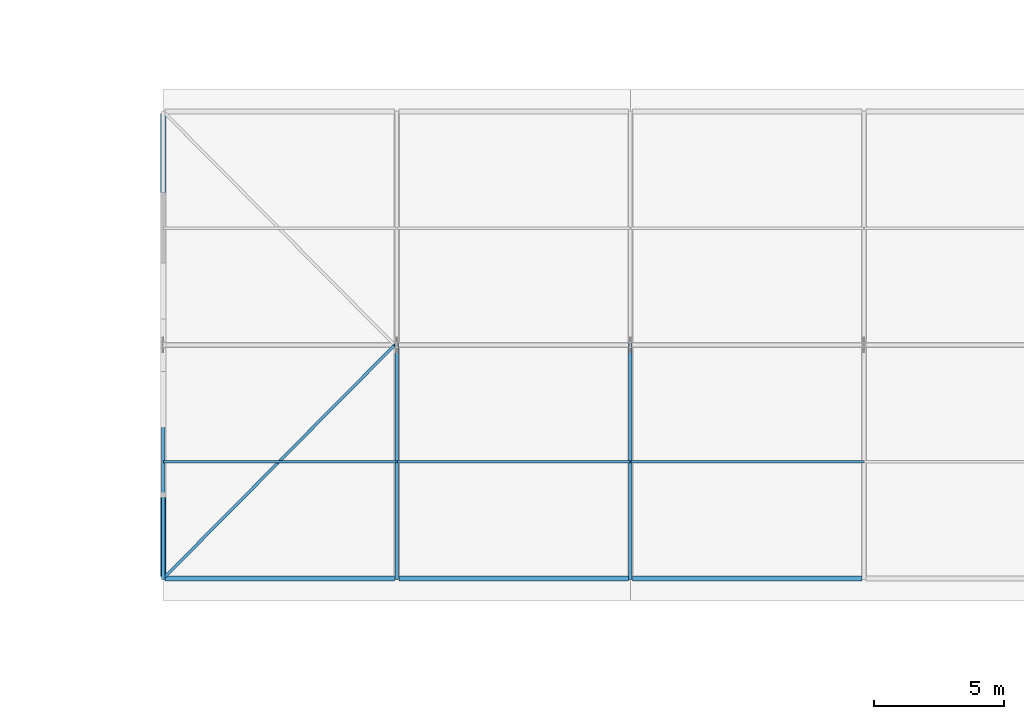
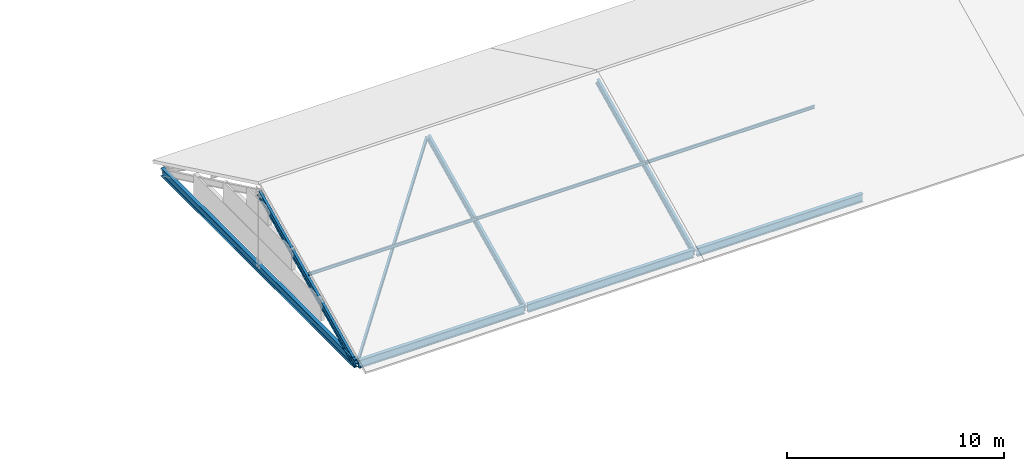
# One storey, part 10 of 25: 7 members, 4 beams.
"""IFC4 building model written with IfcOpenShell, lengths in metres."""

from ifc_helpers import new_model, si_unit, direction, frame, origin, origin_2d, place, context, subcontext, project, spatial, i_section, extrude, material, material_profile, profile_set, type_object, element, save


model = new_model("IFC4")

# Units and contexts
model_context = context("Model", 3, precision=1e-05, world=origin(), true_north=direction((0.0, 1.0)))
body_context = subcontext(model_context, "Body", "Model", "MODEL_VIEW")
ifc_project = project(units=[si_unit("LENGTHUNIT", "METRE"), si_unit("AREAUNIT", "SQUARE_METRE"), si_unit("VOLUMEUNIT", "CUBIC_METRE"), si_unit("PLANEANGLEUNIT", "RADIAN"), si_unit("MASSUNIT", "GRAM", prefix="KILO")], contexts=[model_context])

# Site, building, storey
site_placement = place(None, origin())
site = spatial("IfcSite", under=ifc_project, at=site_placement, CompositionType="ELEMENT")
building_placement = place(site_placement, origin())
building = spatial("IfcBuilding", under=site, at=building_placement, Name="Tharagai Park Tramway Depot", CompositionType="ELEMENT")
storey_placement = place(building_placement, frame((0.0, 0.0, 12.0)))
storey = spatial("IfcBuildingStorey", under=building, at=storey_placement, Name="L03", CompositionType="ELEMENT", Elevation=12.0)

# Beams
ifc_material_1 = material(Name="Steel E350", Category="steel")
ifc_material_profile_1 = material_profile(ifc_material_1, i_section(OverallWidth=0.199951171875, OverallDepth=0.449951171875, WebThickness=0.00927734375, FlangeThickness=0.015380859375, FilletRadius=0.014892578125, at=origin_2d()), Name="ISWB 450")
ifc_profile_set_1 = profile_set([ifc_material_profile_1], Name="Steel E350")
beam_type = type_object("IfcBeamType", Name="BM-17", PredefinedType="BEAM", material=ifc_profile_set_1)
for number, where, z_axis, x_axis, name in (
    (1, (135.080078125, 9.0, -0.47509765625), (1.0, 0.0, 0.0), (0.0, 1.0, 0.0), "V5 Roof Eave Girder BM-17"),
    (2, (144.080078125, 9.0, -0.47509765625), (1.0, 0.0, 0.0), (0.0, 1.0, 0.0), "V5 Roof Eave Girder BM-17"),
    (3, (153.080078125, 9.0, -0.47509765625), (1.0, 0.0, 0.0), (0.0, 1.0, 0.0), "V5 Roof Eave Girder BM-17"),
):
    element("IfcBeam", number, at=place(storey_placement, frame(where, z_axis=z_axis, x_axis=x_axis)), inside=storey, type_object=beam_type, Name=name, PredefinedType="BEAM", context=body_context, shape_type="SweptSolid", body=[
        extrude(i_section(OverallWidth=0.199951171875, OverallDepth=0.449951171875, WebThickness=0.00927734375, FlangeThickness=0.015380859375, FilletRadius=0.014892578125, at=origin_2d()), origin(), (0.0, 0.0, 1.0), 8.83984375),
    ])
beam_placement = place(storey_placement, frame((135.0, 9.080078125, -0.47509765625), z_axis=(0.0, 1.0, 0.0), x_axis=(-1.0, 0.0, 0.0)))
element("IfcBeam", 4, at=beam_placement, inside=storey, type_object=beam_type, Name="V5 Gable Tie Girder BM-17", PredefinedType="BEAM", context=body_context, shape_type="SweptSolid", body=[
    extrude(i_section(OverallWidth=0.199951171875, OverallDepth=0.449951171875, WebThickness=0.00927734375, FlangeThickness=0.015380859375, FilletRadius=0.014892578125, at=origin_2d()), origin(), (0.0, 0.0, 1.0), 17.83984375),
])

# Members
ifc_material_profile_2 = material_profile(ifc_material_1, i_section(OverallWidth=0.110107421875, OverallDepth=0.22509765625, WebThickness=0.006591796875, FlangeThickness=0.01171875, FilletRadius=0.011962890625, at=origin_2d()), Name="ISMB 225")
ifc_profile_set_2 = profile_set([ifc_material_profile_2], Name="Steel E350")
member_type_1 = type_object("IfcMemberType", Name="BR-04", PredefinedType="BRACE", material=ifc_profile_set_2)
member_placement = place(storey_placement, frame((135.080078125, 9.080078125, -0.47509765625), z_axis=(0.667812653519, 0.67386221578, 0.316126515724), x_axis=(-0.710287879152, 0.703911307432, 0.0)))
element("IfcMember", 5, at=member_placement, inside=storey, type_object=member_type_1, Name="V5 Roof Wind Brace BR-04", PredefinedType="BRACE", context=body_context, shape_type="SweptSolid", body=[
    extrude(i_section(OverallWidth=0.110107421875, OverallDepth=0.22509765625, WebThickness=0.006591796875, FlangeThickness=0.01171875, FilletRadius=0.011962890625, at=origin_2d()), origin(), (0.0, 0.0, 1.0), 13.237060546875),
])
ifc_material_2 = material(Name="Steel E250", Category="steel")
ifc_material_profile_3 = material_profile(ifc_material_2, i_section(OverallWidth=0.090087890625, OverallDepth=0.175048828125, WebThickness=0.005615234375, FlangeThickness=0.009033203125, FilletRadius=0.010009765625, at=origin_2d()), Name="ISMB 175")
ifc_profile_set_3 = profile_set([ifc_material_profile_3], Name="Steel E250")
member_type_2 = type_object("IfcMemberType", Name="PR-01", PredefinedType="PURLIN", material=ifc_profile_set_3)
for number, where, z_axis, x_axis, name in (
    (6, (135.02001953125, 13.5, 1.85546875), (1.0, 0.0, 0.0), (0.0, 1.0, 0.0), "V5 Roof Purlin PR-01"),
    (7, (144.02001953125, 13.5, 1.85546875), (1.0, 0.0, 0.0), (0.0, 1.0, 0.0), "V5 Roof Purlin PR-01"),
    (8, (153.02001953125, 13.5, 1.85546875), (1.0, 0.0, 0.0), (0.0, 1.0, 0.0), "V5 Roof Purlin PR-01"),
):
    element("IfcMember", number, at=place(storey_placement, frame(where, z_axis=z_axis, x_axis=x_axis)), inside=storey, type_object=member_type_2, Name=name, PredefinedType="PURLIN", context=body_context, shape_type="SweptSolid", body=[
        extrude(i_section(OverallWidth=0.090087890625, OverallDepth=0.175048828125, WebThickness=0.005615234375, FlangeThickness=0.009033203125, FilletRadius=0.010009765625, at=origin_2d()), origin(), (0.0, 0.0, 1.0), 8.9599609375),
    ])
ifc_material_profile_4 = material_profile(ifc_material_1, i_section(OverallWidth=0.139892578125, OverallDepth=0.35009765625, WebThickness=0.008056640625, FlangeThickness=0.01416015625, FilletRadius=0.013916015625, at=origin_2d()), Name="ISMB 350")
ifc_profile_set_4 = profile_set([ifc_material_profile_4], Name="Steel E350")
member_type_3 = type_object("IfcMemberType", Name="RF-01", PredefinedType="RAFTER", material=ifc_profile_set_4)
for number, where, z_axis, x_axis, name in (
    (9, (135.0, 9.050048828125, -0.558349609375), (0.0, 0.901650825815, 0.432464782736), (-1.0, 0.0, 0.0), "V5 Pitched Rafter RF-01 South"),
    (10, (144.0, 9.050048828125, -0.558349609375), (0.0, 0.901650825815, 0.432464782736), (-1.0, 0.0, 0.0), "V5 Pitched Rafter RF-01 South"),
    (11, (153.0, 9.050048828125, -0.558349609375), (0.0, 0.901650825815, 0.432464782736), (-1.0, 0.0, 0.0), "V5 Pitched Rafter RF-01 South"),
):
    element("IfcMember", number, at=place(storey_placement, frame(where, z_axis=z_axis, x_axis=x_axis)), inside=storey, type_object=member_type_3, Name=name, PredefinedType="RAFTER", context=body_context, shape_type="SweptSolid", body=[
        extrude(i_section(OverallWidth=0.139892578125, OverallDepth=0.35009765625, WebThickness=0.008056640625, FlangeThickness=0.01416015625, FilletRadius=0.013916015625, at=origin_2d()), origin(), (0.0, 0.0, 1.0), 9.92626953125),
    ])

save(model, "model.ifc")
